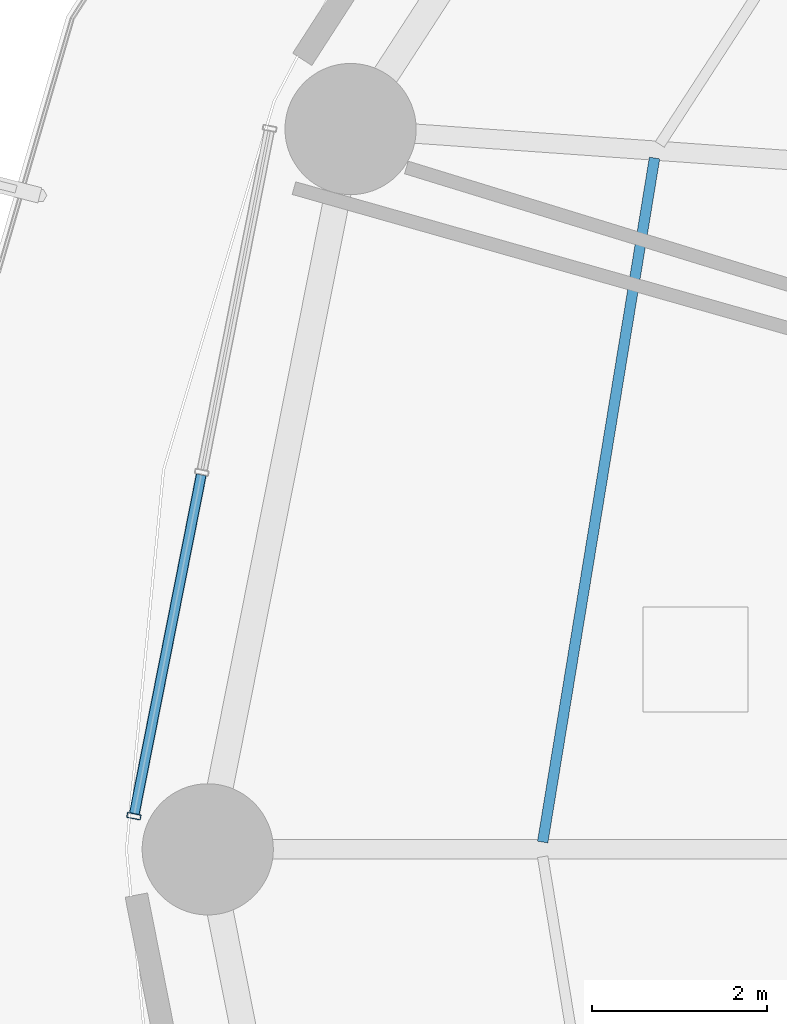
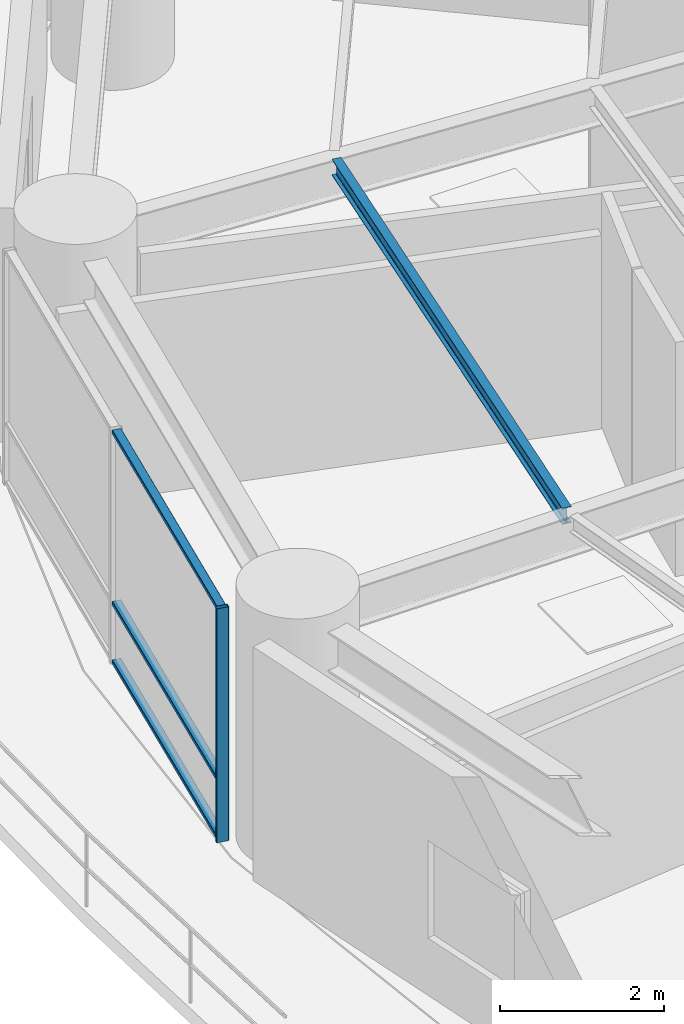
# One storey, part 6 of 33: 4 members, 1 beam, 1 element without a shape of its own.
"""IFC4 building model written with IfcOpenShell, lengths in metres."""

from ifc_helpers import new_model, si_unit, direction, frame, origin, origin_2d, place, context, subcontext, project, spatial, hollow_rectangle, i_section, extrude, material, layer, layer_set, material_profile, profile_set, type_object, element, aggregate, save


model = new_model("IFC4")

# Units and contexts
model_context = context("Model", 3, precision=1e-05, world=origin(), true_north=direction((0.0, 1.0)))
body_context = subcontext(model_context, "Body", "Model", "MODEL_VIEW")
ifc_project = project(units=[si_unit("LENGTHUNIT", "METRE"), si_unit("AREAUNIT", "SQUARE_METRE"), si_unit("VOLUMEUNIT", "CUBIC_METRE"), si_unit("PLANEANGLEUNIT", "RADIAN"), si_unit("MASSUNIT", "GRAM", prefix="KILO")], contexts=[model_context])

# Site, building, storey
site_placement = place(None, origin())
site = spatial("IfcSite", under=ifc_project, at=site_placement, CompositionType="ELEMENT")
building_placement = place(site_placement, origin())
building = spatial("IfcBuilding", under=site, at=building_placement, Name="Kelanora Arch Commons", CompositionType="ELEMENT")
storey_placement = place(building_placement, frame((0.0, 0.0, 45.0)))
storey = spatial("IfcBuildingStorey", under=building, at=storey_placement, Name="L11", CompositionType="ELEMENT", Elevation=45.0)

# Beam
ifc_material_1 = material(Name="Steel S355", Category="steel")
ifc_material_profile_1 = material_profile(ifc_material_1, i_section(OverallWidth=0.1201171875, OverallDepth=0.239990234375, WebThickness=0.006103515625, FlangeThickness=0.009765625, FilletRadius=0.014892578125, at=origin_2d()), Name="IPE240")
ifc_profile_set_1 = profile_set([ifc_material_profile_1], Name="Steel S355")
beam_type = type_object("IfcBeamType", Name="BM-JST-02", PredefinedType="JOIST", material=ifc_profile_set_1)
beam_placement = place(storey_placement, frame((52.02880859375, 65.90478515625, 3.3701171875), z_axis=(-0.161400737199, -0.986888951216, 0.0), x_axis=(0.986888951216, -0.161400737199, 0.0)))
element("IfcBeam", 1, at=beam_placement, inside=storey, type_object=beam_type, Name="Secondary Chord Joist BJC-16 L11", PredefinedType="JOIST", context=body_context, shape_type="SweptSolid", body=[
    extrude(i_section(OverallWidth=0.1201171875, OverallDepth=0.239990234375, WebThickness=0.006103515625, FlangeThickness=0.009765625, FilletRadius=0.014892578125, at=origin_2d()), origin(), (0.0, 0.0, 1.0), 7.9248046875),
])

# Curtain wall, members
ifc_material_2 = material(Name="Terracotta ceramic-fritted low-E glass and aluminium", Category="masonry")
ifc_layer = layer(ifc_material_2, 0.159912109375)
ifc_layer_set = layer_set([ifc_layer], Name="Terracotta ceramic-fritted low-E glass and aluminium")
curtain_wall_type = type_object("IfcCurtainWallType", Name="CW-SYS-01", PredefinedType="NOTDEFINED", material=ifc_layer_set)
curtain_wall_placement = place(storey_placement, origin())
curtain_wall = element("IfcCurtainWall", 2, at=curtain_wall_placement, inside=storey, type_object=curtain_wall_type, Name="Unitised Curtain Wall L11-B08", PredefinedType="NOTDEFINED")
ifc_material_3 = material(Name="Powder-coated aluminium terracotta", Category="masonry")
ifc_material_profile_2 = material_profile(ifc_material_3, hollow_rectangle(XDim=0.159912109375, YDim=0.06005859375, WallThickness=0.0048828125, InnerFilletRadius=0.0048828125, OuterFilletRadius=0.010009765625, at=origin_2d()), Name="CWM160x60")
ifc_profile_set_2 = profile_set([ifc_material_profile_2], Name="Powder-coated aluminium terracotta")
member_type_1 = type_object("IfcMemberType", Name="CWM-STD", PredefinedType="MULLION", material=ifc_profile_set_2)
member_1_placement = place(storey_placement, frame((46.074951171875, 58.379150390625, 0.0), z_axis=(0.0, 0.0, 1.0), x_axis=(0.981052110579, -0.193744048498, 0.0)))
member_1 = element("IfcMember", 3, at=member_1_placement, type_object=member_type_1, Name="CW-01 mullion 3", PredefinedType="MULLION", context=body_context, shape_type="SweptSolid", body=[
    extrude(hollow_rectangle(XDim=0.159912109375, YDim=0.06005859375, WallThickness=0.0048828125, InnerFilletRadius=0.0048828125, OuterFilletRadius=0.010009765625, at=origin_2d()), origin(), (0.0, 0.0, 1.0), 3.47509765625),
])
ifc_material_profile_3 = material_profile(ifc_material_3, hollow_rectangle(XDim=0.1201171875, YDim=0.06005859375, WallThickness=0.0048828125, InnerFilletRadius=0.0048828125, OuterFilletRadius=0.010009765625, at=origin_2d()), Name="CWT120x60")
ifc_profile_set_3 = profile_set([ifc_material_profile_3], Name="Powder-coated aluminium terracotta")
member_type_2 = type_object("IfcMemberType", Name="CWT-STD", PredefinedType="USERDEFINED", material=ifc_profile_set_3)
member_2_placement = place(storey_placement, frame((46.845703125, 62.281982421875, 0.030029296875), z_axis=(-0.193725436624, -0.98105578598, 0.0), x_axis=(0.98105578598, -0.193725436624, 0.0)))
member_2 = element("IfcMember", 4, at=member_2_placement, type_object=member_type_2, Name="CW-01 transom 2.1", ObjectType="TRANSOM", PredefinedType="USERDEFINED", context=body_context, shape_type="SweptSolid", body=[
    extrude(hollow_rectangle(XDim=0.1201171875, YDim=0.06005859375, WallThickness=0.0048828125, InnerFilletRadius=0.0048828125, OuterFilletRadius=0.010009765625, at=origin_2d()), origin(), (0.0, 0.0, 1.0), 3.9482421875),
])
member_3_placement = place(storey_placement, frame((46.845703125, 62.281982421875, 0.89990234375), z_axis=(-0.193725436624, -0.98105578598, 0.0), x_axis=(0.98105578598, -0.193725436624, 0.0)))
member_3 = element("IfcMember", 5, at=member_3_placement, type_object=member_type_2, Name="CW-01 transom 2.2", ObjectType="TRANSOM", PredefinedType="USERDEFINED", context=body_context, shape_type="SweptSolid", body=[
    extrude(hollow_rectangle(XDim=0.1201171875, YDim=0.06005859375, WallThickness=0.0048828125, InnerFilletRadius=0.0048828125, OuterFilletRadius=0.010009765625, at=origin_2d()), origin(), (0.0, 0.0, 1.0), 3.9482421875),
])
member_4_placement = place(storey_placement, frame((46.845703125, 62.281982421875, 3.445068359375), z_axis=(-0.193725436624, -0.98105578598, 0.0), x_axis=(0.98105578598, -0.193725436624, 0.0)))
member_4 = element("IfcMember", 6, at=member_4_placement, type_object=member_type_2, Name="CW-01 transom 2.3", ObjectType="TRANSOM", PredefinedType="USERDEFINED", context=body_context, shape_type="SweptSolid", body=[
    extrude(hollow_rectangle(XDim=0.1201171875, YDim=0.06005859375, WallThickness=0.0048828125, InnerFilletRadius=0.0048828125, OuterFilletRadius=0.010009765625, at=origin_2d()), origin(), (0.0, 0.0, 1.0), 3.9482421875),
])
aggregate(curtain_wall, [member_1, member_2, member_3, member_4])

save(model, "model.ifc")
